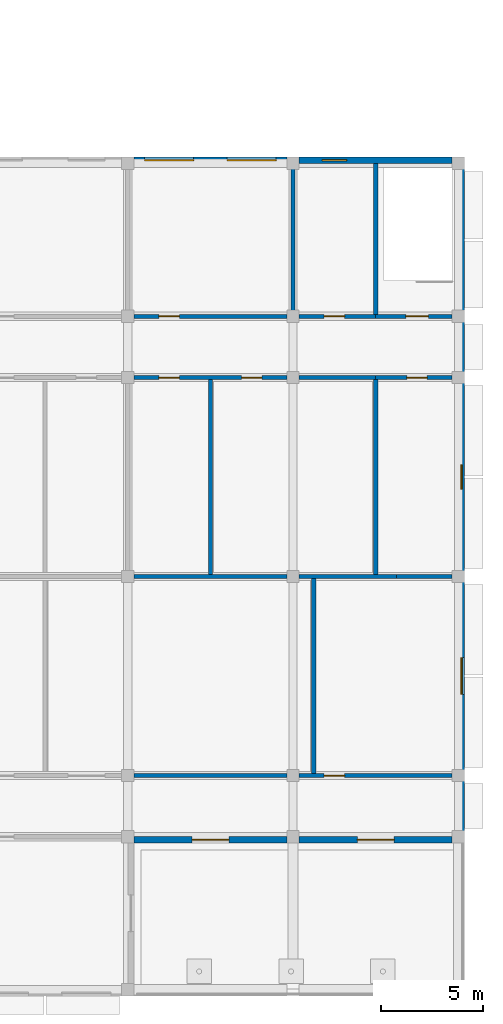
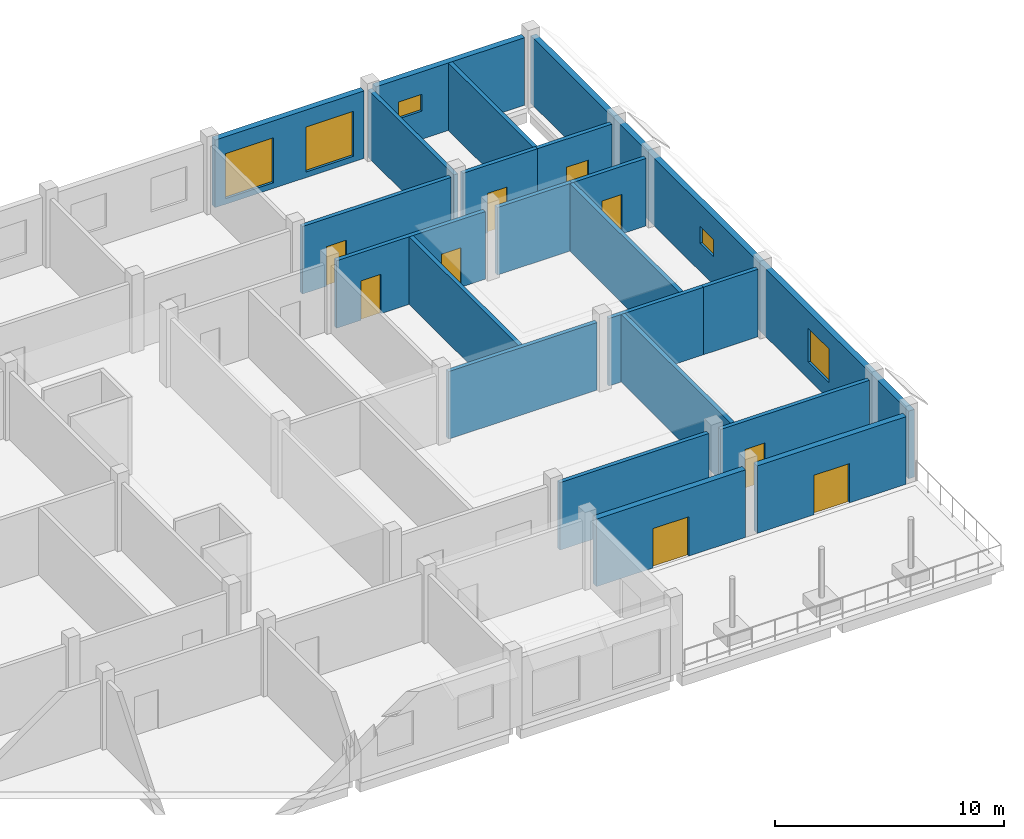
# One storey, part 29 of 38: 21 walls, 9 doors, 5 windows, 14 openings.
"""IFC4 building model written with IfcOpenShell, lengths in metres."""

from ifc_helpers import new_model, si_unit, direction, frame, frame_2d, origin, place, context, subcontext, project, spatial, rectangle, extrude, material, layer, layer_set, type_object, element, fill, save


model = new_model("IFC4")

# Units and contexts
model_context = context("Model", 3, precision=1e-05, world=origin(), true_north=direction((0.0, 1.0)))
body_context = subcontext(model_context, "Body", "Model", "MODEL_VIEW")
ifc_project = project(units=[si_unit("LENGTHUNIT", "METRE"), si_unit("AREAUNIT", "SQUARE_METRE"), si_unit("VOLUMEUNIT", "CUBIC_METRE"), si_unit("PLANEANGLEUNIT", "RADIAN"), si_unit("MASSUNIT", "GRAM", prefix="KILO")], contexts=[model_context])

# Site, building, storey
site_placement = place(None, origin())
site = spatial("IfcSite", under=ifc_project, at=site_placement, CompositionType="ELEMENT")
building_placement = place(site_placement, origin())
building = spatial("IfcBuilding", under=site, at=building_placement, Name="Frailejon Research Tower", CompositionType="ELEMENT")
storey_placement = place(building_placement, frame((0.0, 0.0, 10.199951171875)))
storey = spatial("IfcBuildingStorey", under=building, at=storey_placement, Name="L02", CompositionType="ELEMENT", Elevation=10.199951171875)

# Wall, opening, door
ifc_material_1 = material(Name="Insulated masonry cavity wall", Category="masonry")
ifc_layer_1 = layer(ifc_material_1, 0.300048828125)
ifc_layer_set_1 = layer_set([ifc_layer_1], Name="HC facade wall 300")
wall_type_1 = type_object("IfcWallType", Name="HC facade wall 300", PredefinedType="SOLIDWALL", material=ifc_layer_set_1)
wall_1_placement = place(storey_placement, frame((85.300048828125, -12.89990234375, 0.0), z_axis=(0.0, 0.0, 1.0), x_axis=(1.0, 0.0, 0.0)))
wall_1 = element("IfcWall", 1, at=wall_1_placement, inside=storey, type_object=wall_type_1, Name="HC facade wall", PredefinedType="SOLIDWALL", context=body_context, shape_type="SweptSolid", body=[
    extrude(rectangle(XDim=7.5, YDim=0.300048828125, at=frame_2d((3.75, 0.0))), origin(), (0.0, 0.0, 1.0), 3.60009765625),
])
opening_1_placement = place(wall_1_placement, frame((2.85009765625, 0.0, 0.0)))
opening_1 = element("IfcOpeningElement", 2, at=opening_1_placement, cuts=wall_1, Name="Opening HD234", PredefinedType="OPENING", context=body_context, shape_type="SweptSolid", body=[
    extrude(rectangle(XDim=1.800048828125, YDim=2.10009765625, at=frame_2d((0.89990234375, 1.050048828125))), frame((0.0, 0.159912109375, 0.0), z_axis=(0.0, -1.0, 0.0), x_axis=(1.0, 0.0, 0.0)), (0.0, 0.0, 1.0), 0.320068359375),
])
ifc_material_2 = material(Name="Aluminium framed glazed door leaf", Category="aluminium")
door_type_1 = type_object("IfcDoorType", Name="HC terrace double door 1800", OperationType="DOUBLE_DOOR_SINGLE_SWING", PredefinedType="DOOR", material=ifc_material_2)
door_1_placement = place(opening_1_placement, origin())
door_1 = element("IfcDoor", 3, at=door_1_placement, inside=storey, type_object=door_type_1, Name="Door HD234", OperationType="DOUBLE_DOOR_SINGLE_SWING", OverallHeight=2.10009765625, OverallWidth=1.800048828125, PredefinedType="DOOR", context=body_context, shape_type="SweptSolid", body=[
    extrude(rectangle(XDim=1.800048828125, YDim=2.10009765625, at=frame_2d((0.89990234375, 1.050048828125))), frame((0.0, 0.02490234375, 0.0), z_axis=(0.0, -1.0, 0.0), x_axis=(1.0, 0.0, 0.0)), (0.0, 0.0, 1.0), 0.050048828125),
])
fill(opening_1, door_1)

wall_2_placement = place(storey_placement, frame((93.39990234375, -12.89990234375, 0.0), z_axis=(0.0, 0.0, 1.0), x_axis=(1.0, 0.0, 0.0)))
wall_2 = element("IfcWall", 4, at=wall_2_placement, inside=storey, type_object=wall_type_1, Name="HC facade wall", PredefinedType="SOLIDWALL", context=body_context, shape_type="SweptSolid", body=[
    extrude(rectangle(XDim=7.5, YDim=0.300048828125, at=frame_2d((3.75, 0.0))), origin(), (0.0, 0.0, 1.0), 3.60009765625),
])
opening_2_placement = place(wall_2_placement, frame((2.85009765625, 0.0, 0.0)))
opening_2 = element("IfcOpeningElement", 5, at=opening_2_placement, cuts=wall_2, Name="Opening HD235", PredefinedType="OPENING", context=body_context, shape_type="SweptSolid", body=[
    extrude(rectangle(XDim=1.800048828125, YDim=2.10009765625, at=frame_2d((0.89990234375, 1.050048828125))), frame((0.0, 0.159912109375, 0.0), z_axis=(0.0, -1.0, 0.0), x_axis=(1.0, 0.0, 0.0)), (0.0, 0.0, 1.0), 0.320068359375),
])
door_2_placement = place(opening_2_placement, origin())
door_2 = element("IfcDoor", 6, at=door_2_placement, inside=storey, type_object=door_type_1, Name="Door HD235", OperationType="DOUBLE_DOOR_SINGLE_SWING", OverallHeight=2.10009765625, OverallWidth=1.800048828125, PredefinedType="DOOR", context=body_context, shape_type="SweptSolid", body=[
    extrude(rectangle(XDim=1.800048828125, YDim=2.10009765625, at=frame_2d((0.89990234375, 1.050048828125))), frame((0.0, 0.02490234375, 0.0), z_axis=(0.0, -1.0, 0.0), x_axis=(1.0, 0.0, 0.0)), (0.0, 0.0, 1.0), 0.050048828125),
])
fill(opening_2, door_2)

# Wall, openings, windows
wall_3_placement = place(storey_placement, frame((101.35009765625, 20.25, 0.0), z_axis=(0.0, 0.0, 1.0), x_axis=(0.0, -1.0, 0.0)))
wall_3 = element("IfcWall", 7, at=wall_3_placement, inside=storey, type_object=wall_type_1, Name="HC facade wall", PredefinedType="SOLIDWALL", context=body_context, shape_type="SweptSolid", body=[
    extrude(rectangle(XDim=33.0, YDim=0.300048828125, at=frame_2d((16.5, 0.0))), origin(), (0.0, 0.0, 1.0), 3.60009765625),
])
opening_3_placement = place(wall_3_placement, frame((24.22509765625, 0.0, 0.89990234375)))
opening_3 = element("IfcOpeningElement", 8, at=opening_3_placement, cuts=wall_3, Name="Opening HW211", PredefinedType="OPENING", context=body_context, shape_type="SweptSolid", body=[
    extrude(rectangle(XDim=1.800048828125, YDim=1.800048828125, at=frame_2d((0.89990234375, 0.89990234375))), frame((0.0, 0.159912109375, 0.0), z_axis=(0.0, -1.0, 0.0), x_axis=(1.0, 0.0, 0.0)), (0.0, 0.0, 1.0), 0.320068359375),
])
opening_4_placement = place(wall_3_placement, frame((14.77490234375, 0.0, 1.5)))
opening_4 = element("IfcOpeningElement", 9, at=opening_4_placement, cuts=wall_3, Name="Opening HW213", PredefinedType="OPENING", context=body_context, shape_type="SweptSolid", body=[
    extrude(rectangle(XDim=1.199951171875, YDim=0.89990234375, at=frame_2d((0.60009765625, 0.449951171875))), frame((0.0, 0.159912109375, 0.0), z_axis=(0.0, -1.0, 0.0), x_axis=(1.0, 0.0, 0.0)), (0.0, 0.0, 1.0), 0.320068359375),
])
ifc_material_3 = material(Name="Aluminium framed double glazing", Category="aluminium")
window_type_1 = type_object("IfcWindowType", Name="HC window 1200x900", PartitioningType="SINGLE_PANEL", PredefinedType="WINDOW", material=ifc_material_3)
window_1_placement = place(opening_4_placement, origin())
window_1 = element("IfcWindow", 10, at=window_1_placement, inside=storey, type_object=window_type_1, Name="Window HW213 (HCW2)", OverallHeight=0.89990234375, OverallWidth=1.199951171875, PartitioningType="SINGLE_PANEL", PredefinedType="WINDOW", context=body_context, shape_type="SweptSolid", body=[
    extrude(rectangle(XDim=1.199951171875, YDim=0.89990234375, at=frame_2d((0.60009765625, 0.449951171875))), frame((0.0, 0.030029296875, 0.0), z_axis=(0.0, -1.0, 0.0), x_axis=(1.0, 0.0, 0.0)), (0.0, 0.0, 1.0), 0.06005859375),
])
fill(opening_4, window_1)
ifc_material_4 = material(Name="Aluminium framed double glazing", Category="aluminium")
window_type_2 = type_object("IfcWindowType", Name="HC window 1800x1800", PartitioningType="SINGLE_PANEL", PredefinedType="WINDOW", material=ifc_material_4)
window_2_placement = place(opening_3_placement, origin())
window_2 = element("IfcWindow", 11, at=window_2_placement, inside=storey, type_object=window_type_2, Name="Window HW211 (HCW1)", OverallHeight=1.800048828125, OverallWidth=1.800048828125, PartitioningType="SINGLE_PANEL", PredefinedType="WINDOW", context=body_context, shape_type="SweptSolid", body=[
    extrude(rectangle(XDim=1.800048828125, YDim=1.800048828125, at=frame_2d((0.89990234375, 0.89990234375))), frame((0.0, 0.030029296875, 0.0), z_axis=(0.0, -1.0, 0.0), x_axis=(1.0, 0.0, 0.0)), (0.0, 0.0, 1.0), 0.06005859375),
])
fill(opening_3, window_2)

wall_4_placement = place(storey_placement, frame((85.300048828125, 20.39990234375, 0.0), z_axis=(0.0, 0.0, 1.0), x_axis=(1.0, 0.0, 0.0)))
wall_4 = element("IfcWall", 12, at=wall_4_placement, inside=storey, type_object=wall_type_1, Name="HC facade wall", PredefinedType="SOLIDWALL", context=body_context, shape_type="SweptSolid", body=[
    extrude(rectangle(XDim=7.5, YDim=0.300048828125, at=frame_2d((3.75, 0.0))), origin(), (0.0, 0.0, 1.0), 3.60009765625),
])
opening_5_placement = place(wall_4_placement, frame((0.52490234375, 0.0, 0.300048828125)))
opening_5 = element("IfcOpeningElement", 13, at=opening_5_placement, cuts=wall_4, Name="Opening HW225", PredefinedType="OPENING", context=body_context, shape_type="SweptSolid", body=[
    extrude(rectangle(XDim=2.39990234375, YDim=2.39990234375, at=frame_2d((1.199951171875, 1.199951171875))), frame((0.0, 0.159912109375, 0.0), z_axis=(0.0, -1.0, 0.0), x_axis=(1.0, 0.0, 0.0)), (0.0, 0.0, 1.0), 0.320068359375),
])
opening_6_placement = place(wall_4_placement, frame((4.574951171875, 0.0, 0.300048828125)))
opening_6 = element("IfcOpeningElement", 14, at=opening_6_placement, cuts=wall_4, Name="Opening HW226", PredefinedType="OPENING", context=body_context, shape_type="SweptSolid", body=[
    extrude(rectangle(XDim=2.39990234375, YDim=2.39990234375, at=frame_2d((1.199951171875, 1.199951171875))), frame((0.0, 0.159912109375, 0.0), z_axis=(0.0, -1.0, 0.0), x_axis=(1.0, 0.0, 0.0)), (0.0, 0.0, 1.0), 0.320068359375),
])
ifc_material_5 = material(Name="Aluminium framed double glazing", Category="aluminium")
window_type_3 = type_object("IfcWindowType", Name="HC window 2400x2400", PartitioningType="DOUBLE_PANEL_VERTICAL", PredefinedType="WINDOW", material=ifc_material_5)
window_3_placement = place(opening_5_placement, origin())
window_3 = element("IfcWindow", 15, at=window_3_placement, inside=storey, type_object=window_type_3, Name="Window HW225 (HCW3)", OverallHeight=2.39990234375, OverallWidth=2.39990234375, PartitioningType="DOUBLE_PANEL_VERTICAL", PredefinedType="WINDOW", context=body_context, shape_type="SweptSolid", body=[
    extrude(rectangle(XDim=2.39990234375, YDim=2.39990234375, at=frame_2d((1.199951171875, 1.199951171875))), frame((0.0, 0.030029296875, 0.0), z_axis=(0.0, -1.0, 0.0), x_axis=(1.0, 0.0, 0.0)), (0.0, 0.0, 1.0), 0.06005859375),
])
fill(opening_5, window_3)
window_4_placement = place(opening_6_placement, origin())
window_4 = element("IfcWindow", 16, at=window_4_placement, inside=storey, type_object=window_type_3, Name="Window HW226 (HCW3)", OverallHeight=2.39990234375, OverallWidth=2.39990234375, PartitioningType="DOUBLE_PANEL_VERTICAL", PredefinedType="WINDOW", context=body_context, shape_type="SweptSolid", body=[
    extrude(rectangle(XDim=2.39990234375, YDim=2.39990234375, at=frame_2d((1.199951171875, 1.199951171875))), frame((0.0, 0.030029296875, 0.0), z_axis=(0.0, -1.0, 0.0), x_axis=(1.0, 0.0, 0.0)), (0.0, 0.0, 1.0), 0.06005859375),
])
fill(opening_6, window_4)

# Wall, opening, window
wall_5_placement = place(storey_placement, frame((93.39990234375, 20.39990234375, 0.0), z_axis=(0.0, 0.0, 1.0), x_axis=(1.0, 0.0, 0.0)))
wall_5 = element("IfcWall", 17, at=wall_5_placement, inside=storey, type_object=wall_type_1, Name="HC facade wall", PredefinedType="SOLIDWALL", context=body_context, shape_type="SweptSolid", body=[
    extrude(rectangle(XDim=7.5, YDim=0.300048828125, at=frame_2d((3.75, 0.0))), origin(), (0.0, 0.0, 1.0), 3.60009765625),
])
opening_7_placement = place(wall_5_placement, frame((1.125, 0.0, 1.5)))
opening_7 = element("IfcOpeningElement", 18, at=opening_7_placement, cuts=wall_5, Name="Opening HW227", PredefinedType="OPENING", context=body_context, shape_type="SweptSolid", body=[
    extrude(rectangle(XDim=1.199951171875, YDim=0.89990234375, at=frame_2d((0.60009765625, 0.449951171875))), frame((0.0, 0.159912109375, 0.0), z_axis=(0.0, -1.0, 0.0), x_axis=(1.0, 0.0, 0.0)), (0.0, 0.0, 1.0), 0.320068359375),
])
window_5_placement = place(opening_7_placement, origin())
window_5 = element("IfcWindow", 19, at=window_5_placement, inside=storey, type_object=window_type_1, Name="Window HW227 (HCW2)", OverallHeight=0.89990234375, OverallWidth=1.199951171875, PartitioningType="SINGLE_PANEL", PredefinedType="WINDOW", context=body_context, shape_type="SweptSolid", body=[
    extrude(rectangle(XDim=1.199951171875, YDim=0.89990234375, at=frame_2d((0.60009765625, 0.449951171875))), frame((0.0, 0.030029296875, 0.0), z_axis=(0.0, -1.0, 0.0), x_axis=(1.0, 0.0, 0.0)), (0.0, 0.0, 1.0), 0.06005859375),
])
fill(opening_7, window_5)

# Wall
ifc_material_6 = material(Name="Concrete C35/45", Category="concrete")
ifc_layer_2 = layer(ifc_material_6, 0.199951171875)
ifc_layer_set_2 = layer_set([ifc_layer_2], Name="HC fire wall 200")
wall_type_2 = type_object("IfcWallType", Name="HC fire wall 200", PredefinedType="SOLIDWALL", material=ifc_layer_set_2)
wall_6_placement = place(storey_placement, frame((98.16259765625, 0.0, 0.0), z_axis=(0.0, 0.0, 1.0), x_axis=(1.0, 0.0, 0.0)))
element("IfcWall", 20, at=wall_6_placement, inside=storey, type_object=wall_type_2, Name="HC fire-resisting wall", PredefinedType="SOLIDWALL", context=body_context, shape_type="SweptSolid", body=[
    extrude(rectangle(XDim=2.7373046875, YDim=0.199951171875, at=frame_2d((1.36865234375, 0.0))), origin(), (0.0, 0.0, 1.0), 3.60009765625),
])

# Wall, opening, door
wall_7_placement = place(storey_placement, frame((97.14990234375, 9.75, 0.0), z_axis=(0.0, 0.0, 1.0), x_axis=(1.0, 0.0, 0.0)))
wall_7 = element("IfcWall", 21, at=wall_7_placement, inside=storey, type_object=wall_type_2, Name="HC fire-resisting wall", PredefinedType="SOLIDWALL", context=body_context, shape_type="SweptSolid", body=[
    extrude(rectangle(XDim=3.75, YDim=0.199951171875, at=frame_2d((1.875, 0.0))), origin(), (0.0, 0.0, 1.0), 3.60009765625),
])
opening_8_placement = place(wall_7_placement, frame((1.52490234375, 0.0, 0.0)))
opening_8 = element("IfcOpeningElement", 22, at=opening_8_placement, cuts=wall_7, Name="Opening HD223", PredefinedType="OPENING", context=body_context, shape_type="SweptSolid", body=[
    extrude(rectangle(XDim=1.0, YDim=2.10009765625, at=frame_2d((0.5, 1.050048828125))), frame((0.0, 0.10986328125, 0.0), z_axis=(0.0, -1.0, 0.0), x_axis=(1.0, 0.0, 0.0)), (0.0, 0.0, 1.0), 0.219970703125),
])
ifc_material_7 = material(Name="Steel fire door leaf", Category="steel")
door_type_2 = type_object("IfcDoorType", Name="HC plant door 1000", OperationType="SINGLE_SWING_LEFT", PredefinedType="DOOR", material=ifc_material_7)
door_3_placement = place(opening_8_placement, origin())
door_3 = element("IfcDoor", 23, at=door_3_placement, inside=storey, type_object=door_type_2, Name="Door HD223", OperationType="SINGLE_SWING_LEFT", OverallHeight=2.10009765625, OverallWidth=1.0, PredefinedType="DOOR", context=body_context, shape_type="SweptSolid", body=[
    extrude(rectangle(XDim=1.0, YDim=2.10009765625, at=frame_2d((0.5, 1.050048828125))), frame((0.0, 0.02490234375, 0.0), z_axis=(0.0, -1.0, 0.0), x_axis=(1.0, 0.0, 0.0)), (0.0, 0.0, 1.0), 0.050048828125),
])
fill(opening_8, door_3)

# Walls
wall_8_placement = place(storey_placement, frame((97.14990234375, 0.10009765625, 0.0), z_axis=(0.0, 0.0, 1.0), x_axis=(0.0, 1.0, 0.0)))
element("IfcWall", 24, at=wall_8_placement, inside=storey, type_object=wall_type_2, Name="HC fire-resisting wall", PredefinedType="SOLIDWALL", context=body_context, shape_type="SweptSolid", body=[
    extrude(rectangle(XDim=9.5498046875, YDim=0.199951171875, at=frame_2d((4.77490234375, 0.0))), origin(), (0.0, 0.0, 1.0), 3.60009765625),
])
wall_9_placement = place(storey_placement, frame((97.14990234375, 12.85009765625, 0.0), z_axis=(0.0, 0.0, 1.0), x_axis=(0.0, 1.0, 0.0)))
element("IfcWall", 25, at=wall_9_placement, inside=storey, type_object=wall_type_2, Name="HC fire-resisting wall", PredefinedType="SOLIDWALL", context=body_context, shape_type="SweptSolid", body=[
    extrude(rectangle(XDim=7.39990234375, YDim=0.199951171875, at=frame_2d((3.699951171875, 0.0))), origin(), (0.0, 0.0, 1.0), 3.60009765625),
])

# Wall, opening, door
wall_10_placement = place(storey_placement, frame((97.14990234375, 12.75, 0.0), z_axis=(0.0, 0.0, 1.0), x_axis=(1.0, 0.0, 0.0)))
wall_10 = element("IfcWall", 26, at=wall_10_placement, inside=storey, type_object=wall_type_2, Name="HC fire-resisting wall", PredefinedType="SOLIDWALL", context=body_context, shape_type="SweptSolid", body=[
    extrude(rectangle(XDim=3.75, YDim=0.199951171875, at=frame_2d((1.875, 0.0))), origin(), (0.0, 0.0, 1.0), 3.60009765625),
])
opening_9_placement = place(wall_10_placement, frame((1.47509765625, 0.0, 0.0)))
opening_9 = element("IfcOpeningElement", 27, at=opening_9_placement, cuts=wall_10, Name="Opening HD233", PredefinedType="OPENING", context=body_context, shape_type="SweptSolid", body=[
    extrude(rectangle(XDim=1.10009765625, YDim=2.10009765625, at=frame_2d((0.550048828125, 1.050048828125))), frame((0.0, 0.10986328125, 0.0), z_axis=(0.0, -1.0, 0.0), x_axis=(1.0, 0.0, 0.0)), (0.0, 0.0, 1.0), 0.219970703125),
])
ifc_material_8 = material(Name="Steel fire door leaf", Category="steel")
door_type_3 = type_object("IfcDoorType", Name="HC stair door 1100 left", OperationType="SINGLE_SWING_LEFT", PredefinedType="DOOR", material=ifc_material_8)
door_4_placement = place(opening_9_placement, origin())
door_4 = element("IfcDoor", 28, at=door_4_placement, inside=storey, type_object=door_type_3, Name="Door HD233", OperationType="SINGLE_SWING_LEFT", OverallHeight=2.10009765625, OverallWidth=1.10009765625, PredefinedType="DOOR", context=body_context, shape_type="SweptSolid", body=[
    extrude(rectangle(XDim=1.10009765625, YDim=2.10009765625, at=frame_2d((0.550048828125, 1.050048828125))), frame((0.0, 0.02490234375, 0.0), z_axis=(0.0, -1.0, 0.0), x_axis=(1.0, 0.0, 0.0)), (0.0, 0.0, 1.0), 0.050048828125),
])
fill(opening_9, door_4)

# Wall
ifc_material_9 = material(Name="Masonry blockwork partition", Category="masonry")
ifc_layer_3 = layer(ifc_material_9, 0.199951171875)
ifc_layer_set_3 = layer_set([ifc_layer_3], Name="HC partition 200")
wall_type_3 = type_object("IfcWallType", Name="HC partition 200", PredefinedType="PARTITIONING", material=ifc_layer_set_3)
wall_11_placement = place(storey_placement, frame((85.300048828125, -9.75, 0.0), z_axis=(0.0, 0.0, 1.0), x_axis=(1.0, 0.0, 0.0)))
element("IfcWall", 29, at=wall_11_placement, inside=storey, type_object=wall_type_3, Name="HC partition", PredefinedType="PARTITIONING", context=body_context, shape_type="SweptSolid", body=[
    extrude(rectangle(XDim=7.5, YDim=0.199951171875, at=frame_2d((3.75, 0.0))), origin(), (0.0, 0.0, 1.0), 3.60009765625),
])

# Wall, opening, door
wall_12_placement = place(storey_placement, frame((93.39990234375, -9.75, 0.0), z_axis=(0.0, 0.0, 1.0), x_axis=(1.0, 0.0, 0.0)))
wall_12 = element("IfcWall", 30, at=wall_12_placement, inside=storey, type_object=wall_type_3, Name="HC partition", PredefinedType="PARTITIONING", context=body_context, shape_type="SweptSolid", body=[
    extrude(rectangle(XDim=7.5, YDim=0.199951171875, at=frame_2d((3.75, 0.0))), origin(), (0.0, 0.0, 1.0), 3.60009765625),
])
opening_10_placement = place(wall_12_placement, frame((1.22509765625, 0.0, 0.0)))
opening_10 = element("IfcOpeningElement", 31, at=opening_10_placement, cuts=wall_12, Name="Opening HD214", PredefinedType="OPENING", context=body_context, shape_type="SweptSolid", body=[
    extrude(rectangle(XDim=1.0, YDim=2.10009765625, at=frame_2d((0.5, 1.050048828125))), frame((0.0, 0.10986328125, 0.0), z_axis=(0.0, -1.0, 0.0), x_axis=(1.0, 0.0, 0.0)), (0.0, 0.0, 1.0), 0.219970703125),
])
ifc_material_10 = material(Name="Timber veneered fire door leaf", Category="wood")
door_type_4 = type_object("IfcDoorType", Name="HC door 1000 right", OperationType="SINGLE_SWING_RIGHT", PredefinedType="DOOR", material=ifc_material_10)
door_5_placement = place(opening_10_placement, origin())
door_5 = element("IfcDoor", 32, at=door_5_placement, inside=storey, type_object=door_type_4, Name="Door HD214", OperationType="SINGLE_SWING_RIGHT", OverallHeight=2.10009765625, OverallWidth=1.0, PredefinedType="DOOR", context=body_context, shape_type="SweptSolid", body=[
    extrude(rectangle(XDim=1.0, YDim=2.10009765625, at=frame_2d((0.5, 1.050048828125))), frame((0.0, 0.02490234375, 0.0), z_axis=(0.0, -1.0, 0.0), x_axis=(1.0, 0.0, 0.0)), (0.0, 0.0, 1.0), 0.050048828125),
])
fill(opening_10, door_5)

# Walls
wall_13_placement = place(storey_placement, frame((85.300048828125, 0.0, 0.0), z_axis=(0.0, 0.0, 1.0), x_axis=(1.0, 0.0, 0.0)))
element("IfcWall", 33, at=wall_13_placement, inside=storey, type_object=wall_type_3, Name="HC partition", PredefinedType="PARTITIONING", context=body_context, shape_type="SweptSolid", body=[
    extrude(rectangle(XDim=7.5, YDim=0.199951171875, at=frame_2d((3.75, 0.0))), origin(), (0.0, 0.0, 1.0), 3.60009765625),
])
wall_14_placement = place(storey_placement, frame((93.39990234375, 0.0, 0.0), z_axis=(0.0, 0.0, 1.0), x_axis=(1.0, 0.0, 0.0)))
element("IfcWall", 34, at=wall_14_placement, inside=storey, type_object=wall_type_3, Name="HC partition", PredefinedType="PARTITIONING", context=body_context, shape_type="SweptSolid", body=[
    extrude(rectangle(XDim=4.7626953125, YDim=0.199951171875, at=frame_2d((2.38134765625, 0.0))), origin(), (0.0, 0.0, 1.0), 3.60009765625),
])
wall_15_placement = place(storey_placement, frame((94.112548828125, -9.64990234375, 0.0), z_axis=(0.0, 0.0, 1.0), x_axis=(0.0, 1.0, 0.0)))
element("IfcWall", 35, at=wall_15_placement, inside=storey, type_object=wall_type_3, Name="HC partition", PredefinedType="PARTITIONING", context=body_context, shape_type="SweptSolid", body=[
    extrude(rectangle(XDim=9.5498046875, YDim=0.199951171875, at=frame_2d((4.77490234375, 0.0))), origin(), (0.0, 0.0, 1.0), 3.60009765625),
])

# Wall, openings, doors
wall_16_placement = place(storey_placement, frame((85.300048828125, 9.75, 0.0), z_axis=(0.0, 0.0, 1.0), x_axis=(1.0, 0.0, 0.0)))
wall_16 = element("IfcWall", 36, at=wall_16_placement, inside=storey, type_object=wall_type_3, Name="HC partition", PredefinedType="PARTITIONING", context=body_context, shape_type="SweptSolid", body=[
    extrude(rectangle(XDim=7.5, YDim=0.199951171875, at=frame_2d((3.75, 0.0))), origin(), (0.0, 0.0, 1.0), 3.60009765625),
])
opening_11_placement = place(wall_16_placement, frame((1.22509765625, 0.0, 0.0)))
opening_11 = element("IfcOpeningElement", 37, at=opening_11_placement, cuts=wall_16, Name="Opening HD221", PredefinedType="OPENING", context=body_context, shape_type="SweptSolid", body=[
    extrude(rectangle(XDim=1.0, YDim=2.10009765625, at=frame_2d((0.5, 1.050048828125))), frame((0.0, 0.10986328125, 0.0), z_axis=(0.0, -1.0, 0.0), x_axis=(1.0, 0.0, 0.0)), (0.0, 0.0, 1.0), 0.219970703125),
])
opening_12_placement = place(wall_16_placement, frame((5.27490234375, 0.0, 0.0)))
opening_12 = element("IfcOpeningElement", 38, at=opening_12_placement, cuts=wall_16, Name="Opening HD222", PredefinedType="OPENING", context=body_context, shape_type="SweptSolid", body=[
    extrude(rectangle(XDim=1.0, YDim=2.10009765625, at=frame_2d((0.5, 1.050048828125))), frame((0.0, 0.10986328125, 0.0), z_axis=(0.0, -1.0, 0.0), x_axis=(1.0, 0.0, 0.0)), (0.0, 0.0, 1.0), 0.219970703125),
])
ifc_material_11 = material(Name="Timber veneered fire door leaf", Category="wood")
door_type_5 = type_object("IfcDoorType", Name="HC door 1000 left", OperationType="SINGLE_SWING_LEFT", PredefinedType="DOOR", material=ifc_material_11)
door_6_placement = place(opening_11_placement, origin())
door_6 = element("IfcDoor", 39, at=door_6_placement, inside=storey, type_object=door_type_5, Name="Door HD221", OperationType="SINGLE_SWING_LEFT", OverallHeight=2.10009765625, OverallWidth=1.0, PredefinedType="DOOR", context=body_context, shape_type="SweptSolid", body=[
    extrude(rectangle(XDim=1.0, YDim=2.10009765625, at=frame_2d((0.5, 1.050048828125))), frame((0.0, 0.02490234375, 0.0), z_axis=(0.0, -1.0, 0.0), x_axis=(1.0, 0.0, 0.0)), (0.0, 0.0, 1.0), 0.050048828125),
])
fill(opening_11, door_6)
door_7_placement = place(opening_12_placement, origin())
door_7 = element("IfcDoor", 40, at=door_7_placement, inside=storey, type_object=door_type_4, Name="Door HD222", OperationType="SINGLE_SWING_RIGHT", OverallHeight=2.10009765625, OverallWidth=1.0, PredefinedType="DOOR", context=body_context, shape_type="SweptSolid", body=[
    extrude(rectangle(XDim=1.0, YDim=2.10009765625, at=frame_2d((0.5, 1.050048828125))), frame((0.0, 0.02490234375, 0.0), z_axis=(0.0, -1.0, 0.0), x_axis=(1.0, 0.0, 0.0)), (0.0, 0.0, 1.0), 0.050048828125),
])
fill(opening_12, door_7)

# Walls
wall_17_placement = place(storey_placement, frame((93.39990234375, 9.75, 0.0), z_axis=(0.0, 0.0, 1.0), x_axis=(1.0, 0.0, 0.0)))
element("IfcWall", 41, at=wall_17_placement, inside=storey, type_object=wall_type_3, Name="HC partition", PredefinedType="PARTITIONING", context=body_context, shape_type="SweptSolid", body=[
    extrude(rectangle(XDim=3.75, YDim=0.199951171875, at=frame_2d((1.875, 0.0))), origin(), (0.0, 0.0, 1.0), 3.60009765625),
])
wall_18_placement = place(storey_placement, frame((89.050048828125, 0.10009765625, 0.0), z_axis=(0.0, 0.0, 1.0), x_axis=(0.0, 1.0, 0.0)))
element("IfcWall", 42, at=wall_18_placement, inside=storey, type_object=wall_type_3, Name="HC partition", PredefinedType="PARTITIONING", context=body_context, shape_type="SweptSolid", body=[
    extrude(rectangle(XDim=9.5498046875, YDim=0.199951171875, at=frame_2d((4.77490234375, 0.0))), origin(), (0.0, 0.0, 1.0), 3.60009765625),
])

# Wall, opening, door
wall_19_placement = place(storey_placement, frame((85.300048828125, 12.75, 0.0), z_axis=(0.0, 0.0, 1.0), x_axis=(1.0, 0.0, 0.0)))
wall_19 = element("IfcWall", 43, at=wall_19_placement, inside=storey, type_object=wall_type_3, Name="HC partition", PredefinedType="PARTITIONING", context=body_context, shape_type="SweptSolid", body=[
    extrude(rectangle(XDim=7.5, YDim=0.199951171875, at=frame_2d((3.75, 0.0))), origin(), (0.0, 0.0, 1.0), 3.60009765625),
])
opening_13_placement = place(wall_19_placement, frame((1.22509765625, 0.0, 0.0)))
opening_13 = element("IfcOpeningElement", 44, at=opening_13_placement, cuts=wall_19, Name="Opening HD231", PredefinedType="OPENING", context=body_context, shape_type="SweptSolid", body=[
    extrude(rectangle(XDim=1.0, YDim=2.10009765625, at=frame_2d((0.5, 1.050048828125))), frame((0.0, 0.10986328125, 0.0), z_axis=(0.0, -1.0, 0.0), x_axis=(1.0, 0.0, 0.0)), (0.0, 0.0, 1.0), 0.219970703125),
])
door_8_placement = place(opening_13_placement, origin())
door_8 = element("IfcDoor", 45, at=door_8_placement, inside=storey, type_object=door_type_5, Name="Door HD231", OperationType="SINGLE_SWING_LEFT", OverallHeight=2.10009765625, OverallWidth=1.0, PredefinedType="DOOR", context=body_context, shape_type="SweptSolid", body=[
    extrude(rectangle(XDim=1.0, YDim=2.10009765625, at=frame_2d((0.5, 1.050048828125))), frame((0.0, 0.02490234375, 0.0), z_axis=(0.0, -1.0, 0.0), x_axis=(1.0, 0.0, 0.0)), (0.0, 0.0, 1.0), 0.050048828125),
])
fill(opening_13, door_8)

wall_20_placement = place(storey_placement, frame((93.39990234375, 12.75, 0.0), z_axis=(0.0, 0.0, 1.0), x_axis=(1.0, 0.0, 0.0)))
wall_20 = element("IfcWall", 46, at=wall_20_placement, inside=storey, type_object=wall_type_3, Name="HC partition", PredefinedType="PARTITIONING", context=body_context, shape_type="SweptSolid", body=[
    extrude(rectangle(XDim=3.75, YDim=0.199951171875, at=frame_2d((1.875, 0.0))), origin(), (0.0, 0.0, 1.0), 3.60009765625),
])
opening_14_placement = place(wall_20_placement, frame((1.22509765625, 0.0, 0.0)))
opening_14 = element("IfcOpeningElement", 47, at=opening_14_placement, cuts=wall_20, Name="Opening HD232", PredefinedType="OPENING", context=body_context, shape_type="SweptSolid", body=[
    extrude(rectangle(XDim=1.0, YDim=2.10009765625, at=frame_2d((0.5, 1.050048828125))), frame((0.0, 0.10986328125, 0.0), z_axis=(0.0, -1.0, 0.0), x_axis=(1.0, 0.0, 0.0)), (0.0, 0.0, 1.0), 0.219970703125),
])
door_9_placement = place(opening_14_placement, origin())
door_9 = element("IfcDoor", 48, at=door_9_placement, inside=storey, type_object=door_type_4, Name="Door HD232", OperationType="SINGLE_SWING_RIGHT", OverallHeight=2.10009765625, OverallWidth=1.0, PredefinedType="DOOR", context=body_context, shape_type="SweptSolid", body=[
    extrude(rectangle(XDim=1.0, YDim=2.10009765625, at=frame_2d((0.5, 1.050048828125))), frame((0.0, 0.02490234375, 0.0), z_axis=(0.0, -1.0, 0.0), x_axis=(1.0, 0.0, 0.0)), (0.0, 0.0, 1.0), 0.050048828125),
])
fill(opening_14, door_9)

# Wall
wall_21_placement = place(storey_placement, frame((93.10009765625, 12.75, 0.0), z_axis=(0.0, 0.0, 1.0), x_axis=(0.0, 1.0, 0.0)))
element("IfcWall", 49, at=wall_21_placement, inside=storey, type_object=wall_type_3, Name="HC partition", PredefinedType="PARTITIONING", context=body_context, shape_type="SweptSolid", body=[
    extrude(rectangle(XDim=7.5, YDim=0.199951171875, at=frame_2d((3.75, 0.0))), origin(), (0.0, 0.0, 1.0), 3.60009765625),
])

save(model, "model.ifc")
